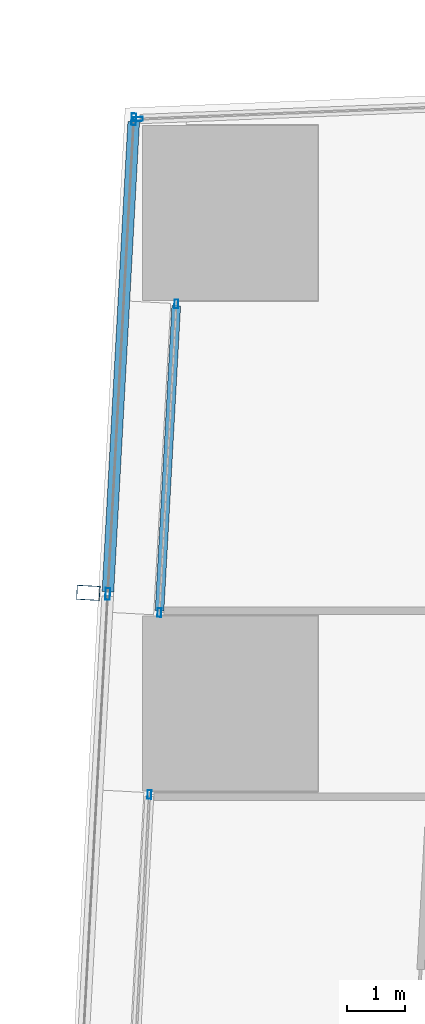
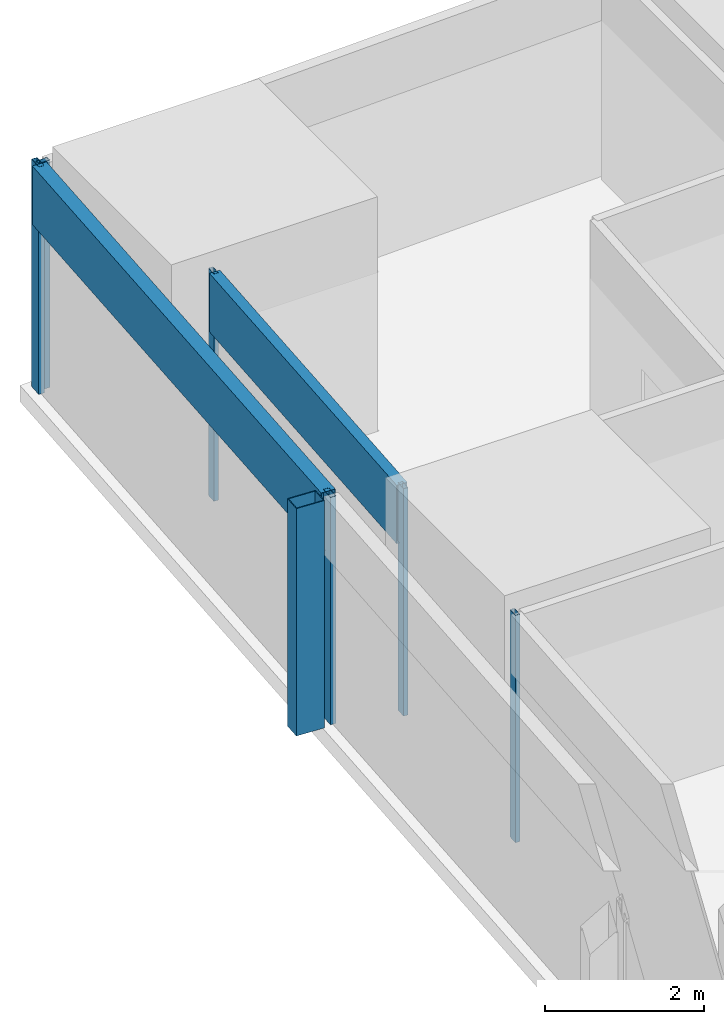
# One storey, part 14 of 39: 9 members, 4 elements without a shape of their own.
"""IFC4 building model written with IfcOpenShell, lengths in metres."""

from ifc_helpers import new_model, si_unit, direction, frame, origin, origin_2d, place, context, subcontext, project, spatial, hollow_rectangle, extrude, material, material_profile, profile_set, type_object, element, aggregate, save


model = new_model("IFC4")

# Units and contexts
model_context = context("Model", 3, precision=1e-05, world=origin(), true_north=direction((0.0, 1.0)))
body_context = subcontext(model_context, "Body", "Model", "MODEL_VIEW")
ifc_project = project(units=[si_unit("LENGTHUNIT", "METRE"), si_unit("AREAUNIT", "SQUARE_METRE"), si_unit("VOLUMEUNIT", "CUBIC_METRE"), si_unit("PLANEANGLEUNIT", "RADIAN"), si_unit("MASSUNIT", "GRAM", prefix="KILO")], contexts=[model_context])

# Site, building, storey
site_placement = place(None, origin())
site = spatial("IfcSite", under=ifc_project, at=site_placement, CompositionType="ELEMENT")
building_placement = place(site_placement, origin())
building = spatial("IfcBuilding", under=site, at=building_placement, Name="Rekha Terrace Tower", CompositionType="ELEMENT")
storey_placement = place(building_placement, frame((0.0, 0.0, 155.300048828125)))
storey = spatial("IfcBuildingStorey", under=building, at=storey_placement, Name="L39", CompositionType="ELEMENT", Elevation=155.300048828125)

# Curtain wall, member
ifc_material_1 = material(Name="Aluminium framing", Category="aluminium")
curtain_wall_type_1 = type_object("IfcCurtainWallType", Name="CW2 double skin outer glazing", PredefinedType="USERDEFINED", material=ifc_material_1)
curtain_wall_1_placement = place(storey_placement, origin())
curtain_wall_1 = element("IfcCurtainWall", 1, at=curtain_wall_1_placement, inside=storey, type_object=curtain_wall_type_1, Name="CW2 double skin outer glazing", ObjectType="DOUBLE SKIN OUTER GLAZING", PredefinedType="USERDEFINED")
ifc_material_2 = material(Name="Steel S355 with fluorocarbon finish", Category="steel")
ifc_material_profile_1 = material_profile(ifc_material_2, hollow_rectangle(XDim=0.25, YDim=0.39990234375, WallThickness=0.012451171875, at=origin_2d()), Name="RHS400x250x12.5")
ifc_profile_set_1 = profile_set([ifc_material_profile_1], Name="Steel S355 with fluorocarbon finish")
member_type_1 = type_object("IfcMemberType", Name="BL1 facade blade RHS 400 x 250", PredefinedType="USERDEFINED", material=ifc_profile_set_1)
member_1_placement = place(storey_placement, frame((5.969482421875, 52.29638671875, 0.0), z_axis=(0.0, 0.0, 1.0), x_axis=(-0.054742798353, -0.998500488747, 0.0)))
member_1 = element("IfcMember", 2, at=member_1_placement, type_object=member_type_1, Name="Facade blade", ObjectType="FACADE BLADE", PredefinedType="USERDEFINED", context=body_context, shape_type="SweptSolid", body=[
    extrude(hollow_rectangle(XDim=0.25, YDim=0.39990234375, WallThickness=0.012451171875, at=origin_2d()), origin(), (0.0, 0.0, 1.0), 3.5),
])

# Curtain wall, members
curtain_wall_type_2 = type_object("IfcCurtainWallType", Name="CW1 double skin inner glazing", PredefinedType="USERDEFINED", material=ifc_material_1)
curtain_wall_2_placement = place(storey_placement, origin())
curtain_wall_2 = element("IfcCurtainWall", 3, at=curtain_wall_2_placement, inside=storey, type_object=curtain_wall_type_2, Name="CW1 double skin inner glazing", ObjectType="DOUBLE SKIN INNER GLAZING", PredefinedType="USERDEFINED")
ifc_material_3 = material(Name="Aluminium mullion section", Category="aluminium")
ifc_material_profile_2 = material_profile(ifc_material_3, hollow_rectangle(XDim=0.06494140625, YDim=0.14990234375, WallThickness=0.00390625, at=origin_2d()), Name="AL RHS 65x150")
ifc_profile_set_2 = profile_set([ifc_material_profile_2], Name="Aluminium mullion section")
member_type_2 = type_object("IfcMemberType", Name="CW1 mullion RHS 65 x 150", PredefinedType="MULLION", material=ifc_profile_set_2)
member_2_placement = place(storey_placement, frame((7.4775390625, 57.242431640625, 0.0), z_axis=(0.0, 0.0, 1.0), x_axis=(0.998500513176, -0.054742352777, 0.0)))
member_2 = element("IfcMember", 4, at=member_2_placement, type_object=member_type_2, Name="CW1 mullion 1", PredefinedType="MULLION", context=body_context, shape_type="SweptSolid", body=[
    extrude(hollow_rectangle(XDim=0.06494140625, YDim=0.14990234375, WallThickness=0.00390625, at=origin_2d()), origin(), (0.0, 0.0, 1.0), 3.5),
])
member_3_placement = place(storey_placement, frame((7.187744140625, 51.95751953125, 0.0), z_axis=(0.0, 0.0, 1.0), x_axis=(0.998500513176, -0.054742352777, 0.0)))
member_3 = element("IfcMember", 5, at=member_3_placement, type_object=member_type_2, Name="CW1 mullion 2", PredefinedType="MULLION", context=body_context, shape_type="SweptSolid", body=[
    extrude(hollow_rectangle(XDim=0.06494140625, YDim=0.14990234375, WallThickness=0.00390625, at=origin_2d()), origin(), (0.0, 0.0, 1.0), 3.5),
])

# Curtain wall, member
curtain_wall_3_placement = place(storey_placement, origin())
curtain_wall_3 = element("IfcCurtainWall", 6, at=curtain_wall_3_placement, inside=storey, type_object=curtain_wall_type_2, Name="CW1 double skin inner glazing", ObjectType="DOUBLE SKIN INNER GLAZING", PredefinedType="USERDEFINED")
member_4_placement = place(storey_placement, frame((7.01708984375, 48.84228515625, 0.0), z_axis=(0.0, 0.0, 1.0), x_axis=(0.998500513181, -0.05474235269, 0.0)))
member_4 = element("IfcMember", 7, at=member_4_placement, type_object=member_type_2, Name="CW1 mullion 1", PredefinedType="MULLION", context=body_context, shape_type="SweptSolid", body=[
    extrude(hollow_rectangle(XDim=0.06494140625, YDim=0.14990234375, WallThickness=0.00390625, at=origin_2d()), origin(), (0.0, 0.0, 1.0), 3.5),
])
aggregate(curtain_wall_3, [member_4])

# Member
ifc_material_4 = material(Name="Insulated aluminium spandrel box", Category="aluminium")
ifc_material_profile_3 = material_profile(ifc_material_4, hollow_rectangle(XDim=0.14990234375, YDim=0.89990234375, WallThickness=0.0029296875, at=origin_2d()), Name="AL SPANDREL BOX 150x900")
ifc_profile_set_3 = profile_set([ifc_material_profile_3], Name="Insulated aluminium spandrel box")
member_type_3 = type_object("IfcMemberType", Name="CW1 spandrel transom 150 x 900", PredefinedType="USERDEFINED", material=ifc_profile_set_3)
member_5_placement = place(storey_placement, frame((7.475830078125, 57.2099609375, 3.050048828125), z_axis=(-0.054779417126, -0.998498480449, 0.0), x_axis=(0.998498480449, -0.054779417126, 0.0)))
member_5 = element("IfcMember", 8, at=member_5_placement, type_object=member_type_3, Name="CW1 spandrel transom 1", ObjectType="TRANSOM", PredefinedType="USERDEFINED", context=body_context, shape_type="SweptSolid", body=[
    extrude(hollow_rectangle(XDim=0.14990234375, YDim=0.89990234375, WallThickness=0.0029296875, at=origin_2d()), origin(), (0.0, 0.0, 1.0), 5.227783203125),
])

aggregate(curtain_wall_2, [member_2, member_3, member_5])

ifc_material_profile_4 = material_profile(ifc_material_3, hollow_rectangle(XDim=0.080078125, YDim=0.199951171875, WallThickness=0.00390625, at=origin_2d()), Name="AL RHS 80x200")
ifc_profile_set_4 = profile_set([ifc_material_profile_4], Name="Aluminium mullion section")
member_type_4 = type_object("IfcMemberType", Name="CW2 mullion RHS 80 x 200", PredefinedType="MULLION", material=ifc_profile_set_4)
member_6_placement = place(storey_placement, frame((6.74951171875, 60.406005859375, 0.0), z_axis=(0.0, 0.0, 1.0), x_axis=(0.99850051318, -0.054742352707, 0.0)))
member_6 = element("IfcMember", 9, at=member_6_placement, type_object=member_type_4, Name="CW2 mullion 1", PredefinedType="MULLION", context=body_context, shape_type="SweptSolid", body=[
    extrude(hollow_rectangle(XDim=0.080078125, YDim=0.199951171875, WallThickness=0.00390625, at=origin_2d()), origin(), (0.0, 0.0, 1.0), 3.5),
])

member_7_placement = place(storey_placement, frame((6.303955078125, 52.278076171875, 0.0), z_axis=(0.0, 0.0, 1.0), x_axis=(0.99850051318, -0.054742352707, 0.0)))
member_7 = element("IfcMember", 10, at=member_7_placement, type_object=member_type_4, Name="CW2 mullion 2", PredefinedType="MULLION", context=body_context, shape_type="SweptSolid", body=[
    extrude(hollow_rectangle(XDim=0.080078125, YDim=0.199951171875, WallThickness=0.00390625, at=origin_2d()), origin(), (0.0, 0.0, 1.0), 3.5),
])

ifc_material_profile_5 = material_profile(ifc_material_4, hollow_rectangle(XDim=0.199951171875, YDim=0.89990234375, WallThickness=0.0029296875, at=origin_2d()), Name="AL SPANDREL BOX 200x900")
ifc_profile_set_5 = profile_set([ifc_material_profile_5], Name="Insulated aluminium spandrel box")
member_type_5 = type_object("IfcMemberType", Name="CW2 spandrel transom 200 x 900", PredefinedType="USERDEFINED", material=ifc_profile_set_5)
member_8_placement = place(storey_placement, frame((6.747314453125, 60.365966796875, 3.050048828125), z_axis=(-0.054735200093, -0.998500905293, 0.0), x_axis=(0.998500905293, -0.054735200093, 0.0)))
member_8 = element("IfcMember", 11, at=member_8_placement, type_object=member_type_5, Name="CW2 spandrel transom 1", ObjectType="TRANSOM", PredefinedType="USERDEFINED", context=body_context, shape_type="SweptSolid", body=[
    extrude(hollow_rectangle(XDim=0.199951171875, YDim=0.89990234375, WallThickness=0.0029296875, at=origin_2d()), origin(), (0.0, 0.0, 1.0), 8.059814453125),
])

aggregate(curtain_wall_1, [member_6, member_7, member_8, member_1])

# Curtain wall, member
curtain_wall_type_3 = type_object("IfcCurtainWallType", Name="CW3 north unitised glazing", PredefinedType="USERDEFINED", material=ifc_material_1)
curtain_wall_4_placement = place(storey_placement, origin())
curtain_wall_4 = element("IfcCurtainWall", 12, at=curtain_wall_4_placement, inside=storey, type_object=curtain_wall_type_3, Name="CW3 unitised curtain wall", ObjectType="UNITISED CURTAIN WALL", PredefinedType="USERDEFINED")
ifc_material_profile_6 = material_profile(ifc_material_3, hollow_rectangle(XDim=0.070068359375, YDim=0.159912109375, WallThickness=0.00390625, at=origin_2d()), Name="AL RHS 70x160")
ifc_profile_set_6 = profile_set([ifc_material_profile_6], Name="Aluminium mullion section")
member_type_6 = type_object("IfcMemberType", Name="CW3 mullion RHS 70 x 160", PredefinedType="MULLION", material=ifc_profile_set_6)
member_9_placement = place(storey_placement, frame((6.82470703125, 60.408935546875, 0.0), z_axis=(0.0, 0.0, 1.0), x_axis=(0.040031987119, -0.999198398721, 0.0)))
member_9 = element("IfcMember", 13, at=member_9_placement, type_object=member_type_6, Name="CW3 mullion 5", PredefinedType="MULLION", context=body_context, shape_type="SweptSolid", body=[
    extrude(hollow_rectangle(XDim=0.070068359375, YDim=0.159912109375, WallThickness=0.00390625, at=origin_2d()), origin(), (0.0, 0.0, 1.0), 3.5),
])
aggregate(curtain_wall_4, [member_9])

save(model, "model.ifc")
